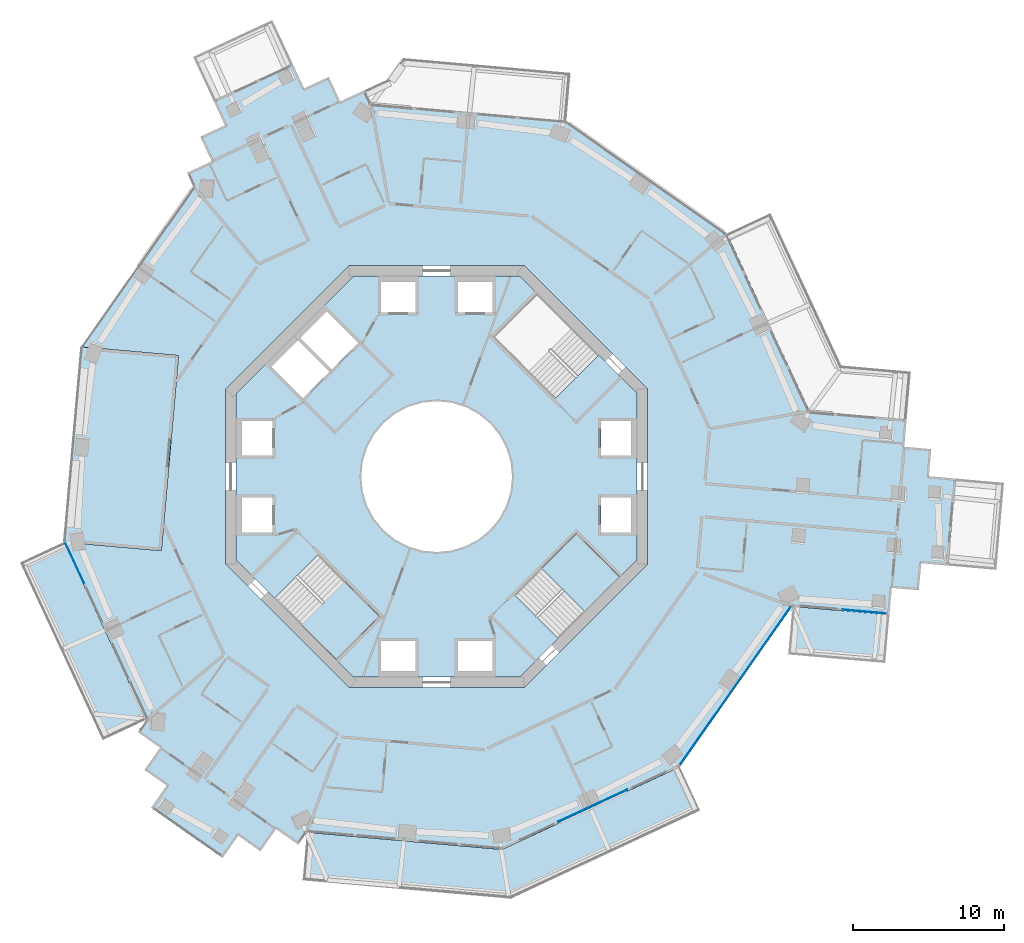
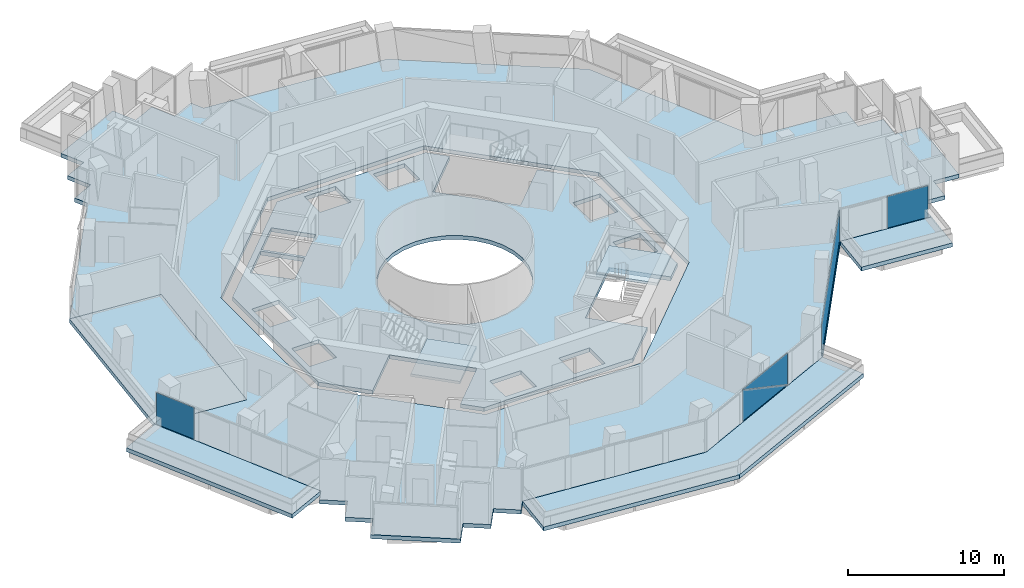
# One storey, part 11 of 23: 8 slabs, 5 plates, 6 elements without a shape of their own.
"""IFC4 building model written with IfcOpenShell, lengths in metres."""

from ifc_helpers import new_model, si_unit, direction, frame, origin, origin_2d, place, context, subcontext, project, spatial, polyline, rectangle, outline, extrude, material, layer, layer_set, type_object, element, aggregate, save


model = new_model("IFC4")

# Units and contexts
model_context = context("Model", 3, precision=1e-05, world=origin(), true_north=direction((0.0, 1.0)))
body_context = subcontext(model_context, "Body", "Model", "MODEL_VIEW")
ifc_project = project(units=[si_unit("LENGTHUNIT", "METRE"), si_unit("AREAUNIT", "SQUARE_METRE"), si_unit("VOLUMEUNIT", "CUBIC_METRE"), si_unit("PLANEANGLEUNIT", "RADIAN"), si_unit("MASSUNIT", "GRAM", prefix="KILO")], contexts=[model_context])

# Site, building, storey
site_placement = place(None, origin())
site = spatial("IfcSite", under=ifc_project, at=site_placement, CompositionType="ELEMENT")
building_placement = place(site_placement, origin())
building = spatial("IfcBuilding", under=site, at=building_placement, Name="Verdalira Terraces Hotel", CompositionType="ELEMENT")
storey_placement = place(building_placement, frame((0.0, 0.0, 136.5)))
storey = spatial("IfcBuildingStorey", under=building, at=storey_placement, Name="L32", CompositionType="ELEMENT", Elevation=136.5)

# Slabs
ifc_material_1 = material(Name="Precast concrete C40/50", Category="concrete")
ifc_layer_1 = layer(ifc_material_1, 0.31005859375)
ifc_layer_set_1 = layer_set([ifc_layer_1], Name="Balcony deck 310")
slab_type_1 = type_object("IfcSlabType", Name="Balcony deck 310", PredefinedType="FLOOR", material=ifc_layer_set_1)
slab_1_placement = place(storey_placement, frame((0.0, 0.0, -0.310059)))
element("IfcSlab", 1, at=slab_1_placement, inside=storey, type_object=slab_type_1, Name="Balcony deck", PredefinedType="FLOOR", context=body_context, shape_type="SweptSolid", body=[
    extrude(outline(polyline([(-22.150879, -17.47998), (-19.249756, -16.129639), (-24.735596, -4.34375), (-27.636719, -5.694092), (-22.150879, -17.47998)])), origin(), (0.0, 0.0, 1.0), 0.310059),
])
slab_2_placement = place(storey_placement, frame((0.0, 0.0, -0.310059)))
element("IfcSlab", 2, at=slab_2_placement, inside=storey, type_object=slab_type_1, Name="Balcony deck", PredefinedType="FLOOR", context=body_context, shape_type="SweptSolid", body=[
    extrude(outline(polyline([(17.47998, -22.150879), (16.129639, -19.249756), (4.34375, -24.735596), (-8.605957, -23.593506), (-8.887207, -26.78125), (4.916748, -27.998535), (17.47998, -22.150879)])), origin(), (0.0, 0.0, 1.0), 0.310059),
])
slab_3_placement = place(storey_placement, frame((0.0, 0.0, -0.310059)))
element("IfcSlab", 3, at=slab_3_placement, inside=storey, type_object=slab_type_1, Name="Balcony deck", PredefinedType="FLOOR", context=body_context, shape_type="SweptSolid", body=[
    extrude(outline(polyline([(29.750977, -12.361328), (30.031982, -9.173828), (23.593506, -8.605957), (23.3125, -11.793701), (29.750977, -12.361328)])), origin(), (0.0, 0.0, 1.0), 0.310059),
])

# Curtain wall, plate
ifc_material_2 = material(Name="Clear glass", Category="glass")
ifc_layer_2 = layer(ifc_material_2, 0.14990234375)
ifc_layer_set_2 = layer_set([ifc_layer_2], Name="CW1 curtain wall")
curtain_wall_type_1 = type_object("IfcCurtainWallType", Name="CW1 curtain wall", PredefinedType="NOTDEFINED", material=ifc_layer_set_2)
curtain_wall_1_placement = place(storey_placement, origin())
curtain_wall_1 = element("IfcCurtainWall", 4, at=curtain_wall_1_placement, inside=storey, type_object=curtain_wall_type_1, Name="CW1 curtain wall L32 edge 13", PredefinedType="NOTDEFINED")
ifc_material_3 = material(Name="Clear glass", Category="glass")
ifc_layer_3 = layer(ifc_material_3, 0.028076171875)
ifc_layer_set_3 = layer_set([ifc_layer_3], Name="CW1 glass unit 28")
plate_type_1 = type_object("IfcPlateType", Name="CW1 glass unit 28", PredefinedType="CURTAIN_PANEL", material=ifc_layer_set_3)
plate_1_placement = place(storey_placement, frame((-24.016602, -5.710449, 0.0), z_axis=(0.0, 0.0, 1.0), x_axis=(0.421985437, -0.906602609, 0.0)))
plate_1 = element("IfcPlate", 5, at=plate_1_placement, type_object=plate_type_1, Name="CW1 glass unit", PredefinedType="CURTAIN_PANEL", context=body_context, shape_type="SweptSolid", body=[
    extrude(rectangle(XDim=2.965088, YDim=0.028076, at=origin_2d()), origin(), (0.0, 0.0, 1.0), 2.475098),
])
aggregate(curtain_wall_1, [plate_1])

# Curtain wall, plates
curtain_wall_2_placement = place(storey_placement, origin())
curtain_wall_2 = element("IfcCurtainWall", 6, at=curtain_wall_2_placement, inside=storey, type_object=curtain_wall_type_1, Name="CW1 curtain wall L32 edge 26", PredefinedType="NOTDEFINED")
plate_2_placement = place(storey_placement, frame((10.361328, -21.836426, 1.237549), z_axis=(0.421985437, -0.906602609, 0.0), x_axis=(0.906602609, 0.421985437, 0.0)))
plate_2 = element("IfcPlate", 7, at=plate_2_placement, type_object=plate_type_1, Name="CW1 glass unit", PredefinedType="CURTAIN_PANEL", context=body_context, shape_type="SweptSolid", body=[
    extrude(outline(polyline([(-2.510742, -1.237549), (2.510742, -1.237549), (-2.510742, 1.237549), (-2.510742, -1.237549)])), origin(), (0.0, 0.0, 1.0), 0.028076),
])
plate_3_placement = place(storey_placement, frame((10.349121, -21.810059, 1.237549), z_axis=(0.421985437, -0.906602609, 0.0), x_axis=(0.906602609, 0.421985437, 0.0)))
plate_3 = element("IfcPlate", 8, at=plate_3_placement, type_object=plate_type_1, Name="CW1 glass unit", PredefinedType="CURTAIN_PANEL", context=body_context, shape_type="SweptSolid", body=[
    extrude(outline(polyline([(2.510742, -1.237549), (2.510742, 1.237549), (-2.510742, 1.237549), (2.510742, -1.237549)])), origin(), (0.0, 0.0, 1.0), 0.028076),
])
aggregate(curtain_wall_2, [plate_2, plate_3])

# Curtain wall, plate
curtain_wall_3_placement = place(storey_placement, origin())
curtain_wall_3 = element("IfcCurtainWall", 9, at=curtain_wall_3_placement, inside=storey, type_object=curtain_wall_type_1, Name="CW1 curtain wall L32 edge 27", PredefinedType="NOTDEFINED")
plate_4_placement = place(storey_placement, frame((19.811768, -13.868408, 0.0), z_axis=(0.0, 0.0, 1.0), x_axis=(0.574148173, 0.818751413, 0.0)))
plate_4 = element("IfcPlate", 10, at=plate_4_placement, type_object=plate_type_1, Name="CW1 glass unit", PredefinedType="CURTAIN_PANEL", context=body_context, shape_type="SweptSolid", body=[
    extrude(rectangle(XDim=12.839844, YDim=0.028076, at=origin_2d()), origin(), (0.0, 0.0, 1.0), 2.475098),
])
aggregate(curtain_wall_3, [plate_4])

ifc_material_4 = material(Name="Clear glass", Category="glass")
ifc_layer_4 = layer(ifc_material_4, 0.14990234375)
ifc_layer_set_4 = layer_set([ifc_layer_4], Name="CW2 curtain wall")
curtain_wall_type_2 = type_object("IfcCurtainWallType", Name="CW2 curtain wall", PredefinedType="NOTDEFINED", material=ifc_layer_set_4)
curtain_wall_4_placement = place(storey_placement, origin())
curtain_wall_4 = element("IfcCurtainWall", 11, at=curtain_wall_4_placement, inside=storey, type_object=curtain_wall_type_2, Name="CW2 curtain wall L32 edge 28", PredefinedType="NOTDEFINED")
ifc_material_5 = material(Name="Clear glass", Category="glass")
ifc_layer_5 = layer(ifc_material_5, 0.031982421875)
ifc_layer_set_5 = layer_set([ifc_layer_5], Name="CW2 glass unit 32")
plate_type_2 = type_object("IfcPlateType", Name="CW2 glass unit 32", PredefinedType="CURTAIN_PANEL", material=ifc_layer_set_5)
plate_5_placement = place(storey_placement, frame((28.38501, -8.953369, 0.0), z_axis=(0.0, 0.0, 1.0), x_axis=(0.996133609, -0.087851197, 0.0)))
plate_5 = element("IfcPlate", 12, at=plate_5_placement, type_object=plate_type_2, Name="CW2 glass unit", PredefinedType="CURTAIN_PANEL", context=body_context, shape_type="SweptSolid", body=[
    extrude(rectangle(XDim=2.879883, YDim=0.031982, at=origin_2d()), origin(), (0.0, 0.0, 1.0), 2.475098),
])
aggregate(curtain_wall_4, [plate_5])

# Slab
ifc_material_6 = material(Name="Concrete C40", Category="concrete")
ifc_layer_6 = layer(ifc_material_6, 0.31005859375)
ifc_layer_set_6 = layer_set([ifc_layer_6], Name="Core floor slab 310 mm")
slab_type_2 = type_object("IfcSlabType", Name="Core floor slab 310 mm", PredefinedType="FLOOR", material=ifc_layer_set_6)
slab_4_placement = place(storey_placement, frame((0.0, 0.0, -0.310059)))
element("IfcSlab", 13, at=slab_4_placement, inside=storey, type_object=slab_type_2, Name="L32 core floor", PredefinedType="FLOOR", context=body_context, shape_type="SweptSolid", body=[
    extrude(outline(polyline([(-5.509033, 13.300049), (5.509033, 13.300049), (6.632812, 12.176514), (3.719482, 9.263184), (7.834473, 5.148193), (10.747803, 8.061279), (13.300049, 5.509033), (13.300049, -5.509033), (12.176514, -6.632812), (9.263184, -3.719482), (5.148193, -7.834473), (8.061279, -10.747803), (5.509033, -13.300049), (-5.509033, -13.300049), (-6.632812, -12.176514), (-3.719482, -9.263184), (-7.834473, -5.148193), (-10.747803, -8.061279), (-13.300049, -5.509033), (-13.300049, 5.509033), (-5.509033, 13.300049)]), holes=[polyline([(12.899902, -3.699951), (12.899902, -1.399902), (10.899902, -1.399902), (10.899902, -3.699951), (12.899902, -3.699951)]), polyline([(12.899902, 1.399902), (12.899902, 3.699951), (10.899902, 3.699951), (10.899902, 1.399902), (12.899902, 1.399902)]), polyline([(1.399902, 10.899902), (3.699951, 10.899902), (3.699951, 12.899902), (1.399902, 12.899902), (1.399902, 10.899902)]), polyline([(-3.699951, 10.899902), (-1.399902, 10.899902), (-1.399902, 12.899902), (-3.699951, 12.899902), (-3.699951, 10.899902)]), polyline([(-12.899902, 3.699951), (-12.899902, 1.399902), (-10.899902, 1.399902), (-10.899902, 3.699951), (-12.899902, 3.699951)]), polyline([(-12.899902, -1.399902), (-12.899902, -3.699951), (-10.899902, -3.699951), (-10.899902, -1.399902), (-12.899902, -1.399902)]), polyline([(-1.399902, -10.899902), (-3.699951, -10.899902), (-3.699951, -12.899902), (-1.399902, -12.899902), (-1.399902, -10.899902)]), polyline([(3.699951, -10.899902), (1.399902, -10.899902), (1.399902, -12.899902), (3.699951, -12.899902), (3.699951, -10.899902)]), polyline([(-9.051025, 9.192383), (-6.965088, 7.106445), (-5.197266, 8.874268), (-7.283203, 10.960205), (-9.051025, 9.192383)]), polyline([(-9.192383, 9.051025), (-10.960205, 7.283203), (-8.874268, 5.197266), (-7.106445, 6.965088), (-9.192383, 9.051025)]), polyline([(3.5354, 3.5354), (2.777832, 4.157227), (1.91333, 4.619385), (0.975586, 4.903809), (0.0, 5.0), (-0.975586, 4.903809), (-1.91333, 4.619385), (-2.777832, 4.157227), (-3.5354, 3.5354), (-4.157227, 2.777832), (-4.619385, 1.91333), (-4.903809, 0.975586), (-5.0, 0.0), (-4.903809, -0.975586), (-4.619385, -1.91333), (-4.157227, -2.777832), (-3.5354, -3.5354), (-2.777832, -4.157227), (-1.91333, -4.619385), (-0.975586, -4.903809), (0.0, -5.0), (0.975586, -4.903809), (1.91333, -4.619385), (2.777832, -4.157227), (3.5354, -3.5354), (4.157227, -2.777832), (4.619385, -1.91333), (4.903809, -0.975586), (5.0, 0.0), (4.903809, 0.975586), (4.619385, 1.91333), (4.157227, 2.777832), (3.5354, 3.5354)])]), origin(), (0.0, 0.0, 1.0), 0.310059),
])

# Stair, slab
ifc_material_7 = material(Name="Concrete C40", Category="concrete")
stair_type = type_object("IfcStairType", Name="Core stair 20 risers 2000 mm wide", PredefinedType="HALF_TURN_STAIR", material=ifc_material_7)
stair_1_placement = place(storey_placement, origin())
stair_1 = element("IfcStair", 14, at=stair_1_placement, inside=storey, type_object=stair_type, Name="L32 Exit stair ST2", PredefinedType="HALF_TURN_STAIR")
ifc_material_8 = material(Name="Concrete C40", Category="concrete")
ifc_layer_7 = layer(ifc_material_8, 0.199951171875)
ifc_layer_set_7 = layer_set([ifc_layer_7], Name="Core stair landing 200 mm")
slab_type_3 = type_object("IfcSlabType", Name="Core stair landing 200 mm", PredefinedType="LANDING", material=ifc_layer_set_7)
slab_5_placement = place(storey_placement, frame((0.0, 0.0, 1.550049)))
slab_5 = element("IfcSlab", 15, at=slab_5_placement, type_object=slab_type_3, Name="ST2 landing 1", PredefinedType="LANDING", context=body_context, shape_type="SweptSolid", body=[
    extrude(outline(polyline([(-8.966553, -9.842529), (-6.646729, -12.162354), (-3.747559, -9.263184), (-6.067383, -6.943359), (-8.966553, -9.842529)])), origin(), (0.0, 0.0, 1.0), 0.199951),
])
aggregate(stair_1, [slab_5])

stair_2_placement = place(storey_placement, origin())
stair_2 = element("IfcStair", 16, at=stair_2_placement, inside=storey, type_object=stair_type, Name="L32 Exit stair ST3", PredefinedType="HALF_TURN_STAIR")
slab_6_placement = place(storey_placement, frame((0.0, 0.0, 1.550049)))
slab_6 = element("IfcSlab", 17, at=slab_6_placement, type_object=slab_type_3, Name="ST3 landing 1", PredefinedType="LANDING", context=body_context, shape_type="SweptSolid", body=[
    extrude(outline(polyline([(9.842529, -8.966553), (12.162354, -6.646729), (9.263184, -3.747559), (6.943359, -6.067383), (9.842529, -8.966553)])), origin(), (0.0, 0.0, 1.0), 0.199951),
])
aggregate(stair_2, [slab_6])

# Slabs
ifc_material_9 = material(Name="Concrete C40", Category="concrete")
ifc_layer_8 = layer(ifc_material_9, 0.31005859375)
ifc_layer_set_8 = layer_set([ifc_layer_8], Name="Floor slab 310 C40")
slab_type_4 = type_object("IfcSlabType", Name="Floor slab 310 C40", PredefinedType="FLOOR", material=ifc_layer_set_8)
slab_7_placement = place(storey_placement, frame((0.0, 0.0, -0.310059)))
element("IfcSlab", 18, at=slab_7_placement, inside=storey, type_object=slab_type_4, Name="Floor slab L32", PredefinedType="FLOOR", context=body_context, shape_type="SweptSolid", body=[
    extrude(outline(polyline([(-16.551514, 20.156494), (-16.129639, 19.249756), (-23.593262, 8.606445), (-17.118164, 8.0354), (-18.260254, -4.915283), (-24.735352, -4.344238), (-19.249756, -16.129639), (-19.823975, -16.948242), (-18.350098, -17.981689), (-19.383545, -19.455566), (-17.909912, -20.489014), (-18.943359, -21.962891), (-14.19458, -25.292725), (-13.161133, -23.819092), (-11.6875, -24.852539), (-10.653809, -23.378906), (-9.180176, -24.412354), (-8.605957, -23.593506), (4.34375, -24.735596), (16.129639, -19.249756), (23.593506, -8.605957), (30.031982, -9.173828), (30.190186, -7.380859), (31.983154, -7.538818), (32.141357, -5.74585), (33.934326, -5.904053), (34.443848, -0.126465), (32.650879, 0.031738), (32.809082, 1.824707), (31.016113, 1.98291), (31.174072, 3.775879), (24.735596, 4.34375), (19.249756, 16.129639), (8.605957, 23.593506), (-4.34375, 24.735596), (-4.765625, 25.64209), (-6.397705, 24.882568), (-7.157227, 26.514404), (-8.789062, 25.754883), (-9.548584, 27.386719), (-14.806885, 24.939209), (-14.047363, 23.307373), (-15.679199, 22.547852), (-14.919678, 20.916016), (-16.551514, 20.156494)]), holes=[polyline([(5.799072, 14.0), (14.0, 5.799072), (14.0, -5.799072), (5.799072, -14.0), (-5.799072, -14.0), (-14.0, -5.799072), (-14.0, 5.799072), (-5.799072, 14.0), (5.799072, 14.0)])]), origin(), (0.0, 0.0, 1.0), 0.310059),
])
ifc_material_10 = material(Name="Concrete C40", Category="concrete")
ifc_layer_9 = layer(ifc_material_10, 0.31005859375)
ifc_layer_set_9 = layer_set([ifc_layer_9], Name="Loggia floor deck 310 C40")
slab_type_5 = type_object("IfcSlabType", Name="Loggia floor deck 310 C40", PredefinedType="FLOOR", material=ifc_layer_set_9)
slab_8_placement = place(storey_placement, frame((0.0, 0.0, -0.310059)))
element("IfcSlab", 19, at=slab_8_placement, inside=storey, type_object=slab_type_5, Name="Loggia deck L32", PredefinedType="FLOOR", context=body_context, shape_type="SweptSolid", body=[
    extrude(outline(polyline([(-17.118652, 8.034912), (-23.593506, 8.605957), (-24.735596, -4.34375), (-24.735596, -4.34375), (-18.260742, -4.914795), (-17.118652, 8.034912)])), origin(), (0.0, 0.0, 1.0), 0.310059),
])

save(model, "model.ifc")
